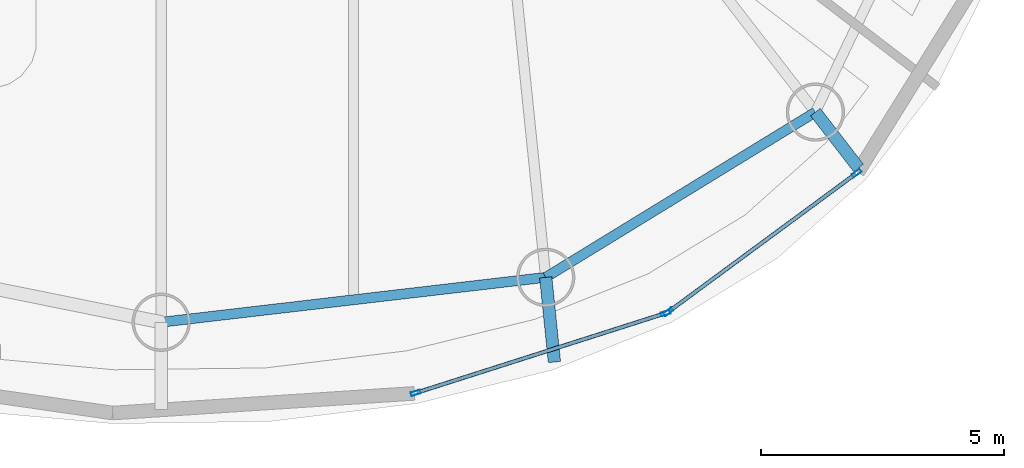
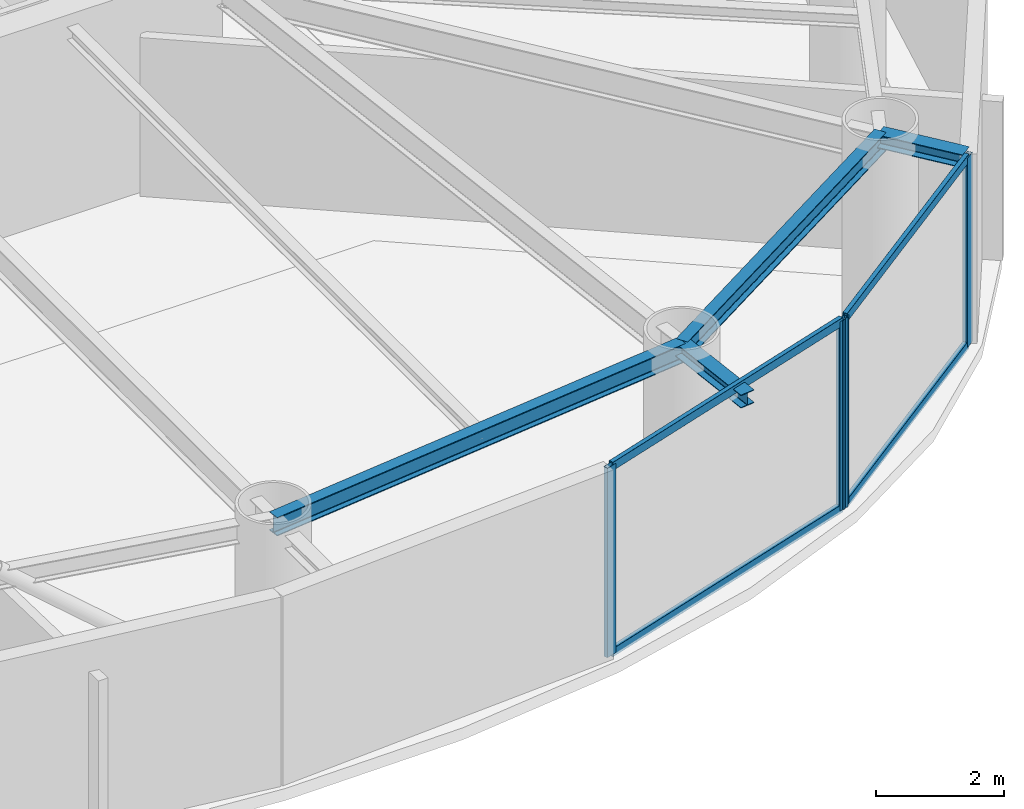
# One storey, part 6 of 20: 8 members, 4 beams, 2 elements without a shape of their own.
"""IFC4 building model written with IfcOpenShell, lengths in metres."""

from ifc_helpers import new_model, si_unit, direction, frame, origin, origin_2d, place, context, subcontext, project, spatial, hollow_rectangle, i_section, extrude, material, layer, layer_set, material_profile, profile_set, type_object, element, aggregate, save


model = new_model("IFC4")

# Units and contexts
model_context = context("Model", 3, precision=1e-05, world=origin(), true_north=direction((0.0, 1.0)))
body_context = subcontext(model_context, "Body", "Model", "MODEL_VIEW")
ifc_project = project(units=[si_unit("LENGTHUNIT", "METRE"), si_unit("AREAUNIT", "SQUARE_METRE"), si_unit("VOLUMEUNIT", "CUBIC_METRE"), si_unit("PLANEANGLEUNIT", "RADIAN"), si_unit("MASSUNIT", "GRAM", prefix="KILO")], contexts=[model_context])

# Site, building, storey
site_placement = place(None, origin())
site = spatial("IfcSite", under=ifc_project, at=site_placement, CompositionType="ELEMENT")
building_placement = place(site_placement, origin())
building = spatial("IfcBuilding", under=site, at=building_placement, Name="Bramvorn Convention Spire", CompositionType="ELEMENT")
storey_placement = place(building_placement, frame((0.0, 0.0, 202.0)))
storey = spatial("IfcBuildingStorey", under=building, at=storey_placement, Name="L51", CompositionType="ELEMENT", Elevation=202.0)

# Beams
ifc_material_1 = material(Name="Steel CSA G40.21 Grade 350 (350W)", Category="steel")
ifc_material_profile_1 = material_profile(ifc_material_1, i_section(OverallWidth=0.25390625, OverallDepth=0.2529296875, WebThickness=0.008544921875, FlangeThickness=0.01416015625, FilletRadius=0.011962890625, at=origin_2d()))
ifc_profile_set_1 = profile_set([ifc_material_profile_1], Name="Steel CSA G40.21 Grade 350 (350W) - W250X73")
beam_type_1 = type_object("IfcBeamType", Name="BM-W250X73", PredefinedType="BEAM", material=ifc_profile_set_1)
beam_1_placement = place(storey_placement, frame((56.058349609375, 9.739990234375, 3.493408203125), z_axis=(0.61157660191, -0.791185224834, 0.0), x_axis=(0.791185224834, 0.61157660191, 0.0)))
element("IfcBeam", 1, at=beam_1_placement, inside=storey, type_object=beam_type_1, Name="L51 slab-edge cantilever tip beam MC01", PredefinedType="BEAM", context=body_context, shape_type="SweptSolid", body=[
    extrude(i_section(OverallWidth=0.25390625, OverallDepth=0.2529296875, WebThickness=0.008544921875, FlangeThickness=0.01416015625, FilletRadius=0.011962890625, at=origin_2d()), origin(), (0.0, 0.0, 1.0), 1.453125),
])
beam_2_placement = place(storey_placement, frame((50.50439453125, 6.336181640625, 3.493408203125), z_axis=(0.102177217948, -0.994766211797, 0.0), x_axis=(0.994766211797, 0.102177217948, 0.0)))
element("IfcBeam", 2, at=beam_2_placement, inside=storey, type_object=beam_type_1, Name="L51 slab-edge cantilever tip beam MC16", PredefinedType="BEAM", context=body_context, shape_type="SweptSolid", body=[
    extrude(i_section(OverallWidth=0.25390625, OverallDepth=0.2529296875, WebThickness=0.008544921875, FlangeThickness=0.01416015625, FilletRadius=0.011962890625, at=origin_2d()), origin(), (0.0, 0.0, 1.0), 1.75390625),
])
ifc_material_profile_2 = material_profile(ifc_material_1, i_section(OverallWidth=0.205078125, OverallDepth=0.35400390625, WebThickness=0.009521484375, FlangeThickness=0.016845703125, FilletRadius=0.014892578125, at=origin_2d()))
ifc_profile_set_2 = profile_set([ifc_material_profile_2], Name="Steel CSA G40.21 Grade 350 (350W) - W360X79")
beam_type_2 = type_object("IfcBeamType", Name="BM-W360X79", PredefinedType="JOIST", material=ifc_profile_set_2)
beam_3_placement = place(storey_placement, frame((42.583740234375, 5.41162109375, 3.443115234375), z_axis=(0.993256148339, 0.115940604561, 0.0), x_axis=(-0.115940604561, 0.993256148339, 0.0)))
element("IfcBeam", 3, at=beam_3_placement, inside=storey, type_object=beam_type_2, Name="L51 mega-column ring beam 15", PredefinedType="JOIST", context=body_context, shape_type="SweptSolid", body=[
    extrude(i_section(OverallWidth=0.205078125, OverallDepth=0.35400390625, WebThickness=0.009521484375, FlangeThickness=0.016845703125, FilletRadius=0.014892578125, at=origin_2d()), origin(), (0.0, 0.0, 1.0), 7.974365234375),
])
beam_4_placement = place(storey_placement, frame((50.50439453125, 6.336181640625, 3.443115234375), z_axis=(0.852616873135, 0.522536570629, 0.0), x_axis=(-0.522536570629, 0.852616873135, 0.0)))
element("IfcBeam", 4, at=beam_4_placement, inside=storey, type_object=beam_type_2, Name="L51 mega-column ring beam 16", PredefinedType="JOIST", context=body_context, shape_type="SweptSolid", body=[
    extrude(i_section(OverallWidth=0.205078125, OverallDepth=0.35400390625, WebThickness=0.009521484375, FlangeThickness=0.016845703125, FilletRadius=0.014892578125, at=origin_2d()), origin(), (0.0, 0.0, 1.0), 6.513916015625),
])

# Curtain wall, members
ifc_material_2 = material(Name="Anodised Bronze Unitised Curtain Wall", Category="aluminium")
ifc_layer = layer(ifc_material_2, 0.179931640625)
ifc_layer_set = layer_set([ifc_layer], Name="Anodised Bronze Unitised Curtain Wall - CW-OFF-FRIT")
curtain_wall_type = type_object("IfcCurtainWallType", Name="CW-OFF-FRIT", PredefinedType="USERDEFINED", material=ifc_layer_set)
curtain_wall_1_placement = place(storey_placement, origin())
curtain_wall_1 = element("IfcCurtainWall", 5, at=curtain_wall_1_placement, inside=storey, type_object=curtain_wall_type, Name="L51 fritted glass curtain wall 23", ObjectType="UNITISED CURTAIN WALL", PredefinedType="USERDEFINED")
ifc_material_3 = material(Name="Anodised Bronze Aluminium 6063-T6", Category="aluminium")
ifc_material_profile_3 = material_profile(ifc_material_3, hollow_rectangle(XDim=0.080078125, YDim=0.199951171875, WallThickness=0.00390625, InnerFilletRadius=0.0009765625, OuterFilletRadius=0.00390625, at=origin_2d()))
ifc_profile_set_3 = profile_set([ifc_material_profile_3], Name="Anodised Bronze Aluminium 6063-T6 - CWM80X200")
member_type_1 = type_object("IfcMemberType", Name="CW-MUL-180", PredefinedType="MULLION", material=ifc_profile_set_3)
member_1_placement = place(storey_placement, frame((52.9765625, 5.598876953125, 0.0), z_axis=(0.0, 0.0, 1.0), x_axis=(0.303975507813, -0.952679846879, 0.0)))
member_1 = element("IfcMember", 6, at=member_1_placement, type_object=member_type_1, Name="CW3 mullion 1", PredefinedType="MULLION", context=body_context, shape_type="SweptSolid", body=[
    extrude(hollow_rectangle(XDim=0.080078125, YDim=0.199951171875, WallThickness=0.00390625, InnerFilletRadius=0.0009765625, OuterFilletRadius=0.00390625, at=origin_2d()), origin(), (0.0, 0.0, 1.0), 3.6201171875),
])
member_2_placement = place(storey_placement, frame((47.82763671875, 3.9560546875, 0.0), z_axis=(0.0, 0.0, 1.0), x_axis=(0.303975507813, -0.952679846879, 0.0)))
member_2 = element("IfcMember", 7, at=member_2_placement, type_object=member_type_1, Name="CW3 mullion 2", PredefinedType="MULLION", context=body_context, shape_type="SweptSolid", body=[
    extrude(hollow_rectangle(XDim=0.080078125, YDim=0.199951171875, WallThickness=0.00390625, InnerFilletRadius=0.0009765625, OuterFilletRadius=0.00390625, at=origin_2d()), origin(), (0.0, 0.0, 1.0), 3.6201171875),
])

curtain_wall_2_placement = place(storey_placement, origin())
curtain_wall_2 = element("IfcCurtainWall", 8, at=curtain_wall_2_placement, inside=storey, type_object=curtain_wall_type, Name="L51 fritted glass curtain wall 24", ObjectType="UNITISED CURTAIN WALL", PredefinedType="USERDEFINED")
member_3_placement = place(storey_placement, frame((56.90673828125, 8.482666015625, 0.0), z_axis=(0.0, 0.0, 1.0), x_axis=(0.593182948473, -0.805067692583, 0.0)))
member_3 = element("IfcMember", 9, at=member_3_placement, type_object=member_type_1, Name="CW3 mullion 1", PredefinedType="MULLION", context=body_context, shape_type="SweptSolid", body=[
    extrude(hollow_rectangle(XDim=0.080078125, YDim=0.199951171875, WallThickness=0.00390625, InnerFilletRadius=0.0009765625, OuterFilletRadius=0.00390625, at=origin_2d()), origin(), (0.0, 0.0, 1.0), 3.6201171875),
])
member_4_placement = place(storey_placement, frame((53.029296875, 5.625732421875, 0.0), z_axis=(0.0, 0.0, 1.0), x_axis=(0.593182948473, -0.805067692583, 0.0)))
member_4 = element("IfcMember", 10, at=member_4_placement, type_object=member_type_1, Name="CW3 mullion 2", PredefinedType="MULLION", context=body_context, shape_type="SweptSolid", body=[
    extrude(hollow_rectangle(XDim=0.080078125, YDim=0.199951171875, WallThickness=0.00390625, InnerFilletRadius=0.0009765625, OuterFilletRadius=0.00390625, at=origin_2d()), origin(), (0.0, 0.0, 1.0), 3.6201171875),
])

# Member
ifc_material_profile_4 = material_profile(ifc_material_3, hollow_rectangle(XDim=0.080078125, YDim=0.159912109375, WallThickness=0.00390625, InnerFilletRadius=0.0009765625, OuterFilletRadius=0.00390625, at=origin_2d()))
ifc_profile_set_4 = profile_set([ifc_material_profile_4], Name="Anodised Bronze Aluminium 6063-T6 - CWT80X160")
member_type_2 = type_object("IfcMemberType", Name="CW-TRN-150", PredefinedType="USERDEFINED", material=ifc_profile_set_4)
member_5_placement = place(storey_placement, frame((52.947998046875, 5.58984375, 0.030029296875), z_axis=(-0.952674692694, -0.303991660907, 0.0), x_axis=(0.303991660907, -0.952674692694, 0.0)))
member_5 = element("IfcMember", 11, at=member_5_placement, type_object=member_type_2, Name="CW3 transom 1.1", ObjectType="TRANSOM", PredefinedType="USERDEFINED", context=body_context, shape_type="SweptSolid", body=[
    extrude(hollow_rectangle(XDim=0.080078125, YDim=0.159912109375, WallThickness=0.00390625, InnerFilletRadius=0.0009765625, OuterFilletRadius=0.00390625, at=origin_2d()), origin(), (0.0, 0.0, 1.0), 5.3447265625),
])

member_6_placement = place(storey_placement, frame((52.947998046875, 5.58984375, 3.590087890625), z_axis=(-0.952674692694, -0.303991660907, 0.0), x_axis=(0.303991660907, -0.952674692694, 0.0)))
member_6 = element("IfcMember", 12, at=member_6_placement, type_object=member_type_2, Name="CW3 transom 1.2", ObjectType="TRANSOM", PredefinedType="USERDEFINED", context=body_context, shape_type="SweptSolid", body=[
    extrude(hollow_rectangle(XDim=0.080078125, YDim=0.159912109375, WallThickness=0.00390625, InnerFilletRadius=0.0009765625, OuterFilletRadius=0.00390625, at=origin_2d()), origin(), (0.0, 0.0, 1.0), 5.3447265625),
])

aggregate(curtain_wall_1, [member_1, member_2, member_5, member_6])

member_7_placement = place(storey_placement, frame((56.882568359375, 8.46484375, 0.030029296875), z_axis=(-0.805071319241, -0.593178026342, 0.0), x_axis=(0.593178026342, -0.805071319241, 0.0)))
member_7 = element("IfcMember", 13, at=member_7_placement, type_object=member_type_2, Name="CW3 transom 1.1", ObjectType="TRANSOM", PredefinedType="USERDEFINED", context=body_context, shape_type="SweptSolid", body=[
    extrude(hollow_rectangle(XDim=0.080078125, YDim=0.159912109375, WallThickness=0.00390625, InnerFilletRadius=0.0009765625, OuterFilletRadius=0.00390625, at=origin_2d()), origin(), (0.0, 0.0, 1.0), 4.75634765625),
])

member_8_placement = place(storey_placement, frame((56.882568359375, 8.46484375, 3.590087890625), z_axis=(-0.805071319241, -0.593178026342, 0.0), x_axis=(0.593178026342, -0.805071319241, 0.0)))
member_8 = element("IfcMember", 14, at=member_8_placement, type_object=member_type_2, Name="CW3 transom 1.2", ObjectType="TRANSOM", PredefinedType="USERDEFINED", context=body_context, shape_type="SweptSolid", body=[
    extrude(hollow_rectangle(XDim=0.080078125, YDim=0.159912109375, WallThickness=0.00390625, InnerFilletRadius=0.0009765625, OuterFilletRadius=0.00390625, at=origin_2d()), origin(), (0.0, 0.0, 1.0), 4.75634765625),
])

aggregate(curtain_wall_2, [member_3, member_4, member_7, member_8])

save(model, "model.ifc")
